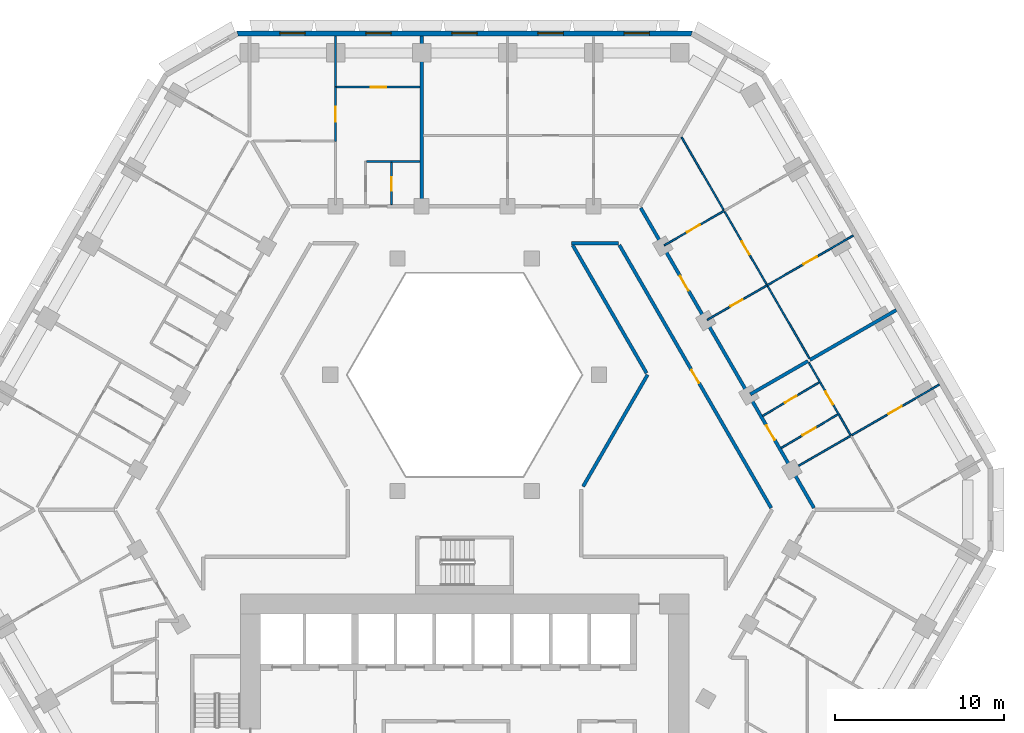
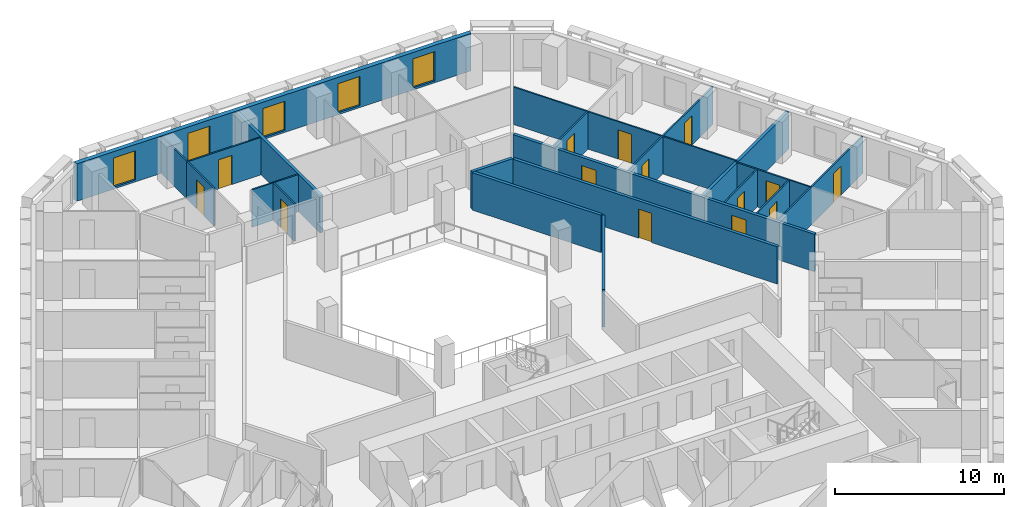
# One storey, part 9 of 16: 22 walls, 14 doors, 5 windows, 19 openings.
"""IFC4 building model written with IfcOpenShell, lengths in metres."""

from ifc_helpers import new_model, si_unit, direction, frame, frame_2d, origin, place, context, subcontext, project, spatial, polyline, rectangle, outline, extrude, material, layer, layer_set, type_object, element, fill, save


model = new_model("IFC4")

# Units and contexts
model_context = context("Model", 3, precision=1e-05, world=origin(), true_north=direction((0.0, 1.0)))
body_context = subcontext(model_context, "Body", "Model", "MODEL_VIEW")
ifc_project = project(units=[si_unit("LENGTHUNIT", "METRE"), si_unit("AREAUNIT", "SQUARE_METRE"), si_unit("VOLUMEUNIT", "CUBIC_METRE"), si_unit("PLANEANGLEUNIT", "RADIAN"), si_unit("MASSUNIT", "GRAM", prefix="KILO")], contexts=[model_context])

# Site, building, storey
site_placement = place(None, origin())
site = spatial("IfcSite", under=ifc_project, at=site_placement, CompositionType="ELEMENT")
building_placement = place(site_placement, origin())
building = spatial("IfcBuilding", under=site, at=building_placement, Name="Beryl Residences", CompositionType="ELEMENT")
storey_placement = place(building_placement, frame((0.0, 0.0, 50.39990234375)))
storey = spatial("IfcBuildingStorey", under=building, at=storey_placement, Name="L15", CompositionType="ELEMENT", Elevation=50.39990234375)

# Wall, openings, windows
ifc_material_1 = material(Name="Composite metal panel with mineral wool insulation")
ifc_layer_1 = layer(ifc_material_1, 0.300048828125)
ifc_layer_set_1 = layer_set([ifc_layer_1], Name="ES1 pale metal composite panel wall 300 mm")
wall_type_1 = type_object("IfcWallType", Name="ES1 pale metal composite panel wall 300 mm", PredefinedType="SOLIDWALL", material=ifc_layer_set_1)
wall_1_placement = place(storey_placement, frame((13.510009765625, 28.25, 0.0), z_axis=(0.0, 0.0, 1.0), x_axis=(-1.0, 0.0, 0.0)))
wall_1 = element("IfcWall", 1, at=wall_1_placement, inside=storey, type_object=wall_type_1, Name="ES1 external wall L15 N", PredefinedType="SOLIDWALL", context=body_context, shape_type="SweptSolid", body=[
    extrude(outline(polyline([(0.0, -0.14990234375), (27.02001953125, -0.14990234375), (26.939697265625, 0.14990234375), (0.080322265625, 0.14990234375), (0.0, -0.14990234375)])), origin(), (0.0, 0.0, 1.0), 2.7001953125),
])
opening_1_placement = place(wall_1_placement, frame((2.552978515625, 0.0, 0.14990234375)))
opening_1 = element("IfcOpeningElement", 2, at=opening_1_placement, cuts=wall_1, Name="Opening W1", PredefinedType="OPENING", context=body_context, shape_type="SweptSolid", body=[
    extrude(rectangle(XDim=1.5, YDim=2.10009765625, at=frame_2d((0.75, 1.050048828125))), frame((0.0, 0.159912109375, 0.0), z_axis=(0.0, -1.0, 0.0), x_axis=(1.0, 0.0, 0.0)), (0.0, 0.0, 1.0), 0.320068359375),
])
opening_2_placement = place(wall_1_placement, frame((7.656982421875, 0.0, 0.14990234375)))
opening_2 = element("IfcOpeningElement", 3, at=opening_2_placement, cuts=wall_1, Name="Opening W1", PredefinedType="OPENING", context=body_context, shape_type="SweptSolid", body=[
    extrude(rectangle(XDim=1.5, YDim=2.10009765625, at=frame_2d((0.75, 1.050048828125))), frame((0.0, 0.159912109375, 0.0), z_axis=(0.0, -1.0, 0.0), x_axis=(1.0, 0.0, 0.0)), (0.0, 0.0, 1.0), 0.320068359375),
])
opening_3_placement = place(wall_1_placement, frame((12.760986328125, 0.0, 0.14990234375)))
opening_3 = element("IfcOpeningElement", 4, at=opening_3_placement, cuts=wall_1, Name="Opening W1", PredefinedType="OPENING", context=body_context, shape_type="SweptSolid", body=[
    extrude(rectangle(XDim=1.5, YDim=2.10009765625, at=frame_2d((0.75, 1.050048828125))), frame((0.0, 0.159912109375, 0.0), z_axis=(0.0, -1.0, 0.0), x_axis=(1.0, 0.0, 0.0)), (0.0, 0.0, 1.0), 0.320068359375),
])
opening_4_placement = place(wall_1_placement, frame((17.864990234375, 0.0, 0.14990234375)))
opening_4 = element("IfcOpeningElement", 5, at=opening_4_placement, cuts=wall_1, Name="Opening W1", PredefinedType="OPENING", context=body_context, shape_type="SweptSolid", body=[
    extrude(rectangle(XDim=1.5, YDim=2.10009765625, at=frame_2d((0.75, 1.050048828125))), frame((0.0, 0.159912109375, 0.0), z_axis=(0.0, -1.0, 0.0), x_axis=(1.0, 0.0, 0.0)), (0.0, 0.0, 1.0), 0.320068359375),
])
opening_5_placement = place(wall_1_placement, frame((22.968994140625, 0.0, 0.14990234375)))
opening_5 = element("IfcOpeningElement", 6, at=opening_5_placement, cuts=wall_1, Name="Opening W1", PredefinedType="OPENING", context=body_context, shape_type="SweptSolid", body=[
    extrude(rectangle(XDim=1.5, YDim=2.10009765625, at=frame_2d((0.75, 1.050048828125))), frame((0.0, 0.159912109375, 0.0), z_axis=(0.0, -1.0, 0.0), x_axis=(1.0, 0.0, 0.0)), (0.0, 0.0, 1.0), 0.320068359375),
])
ifc_material_2 = material(Name="Aluminium and clear glass", Category="aluminium")
window_type = type_object("IfcWindowType", Name="W1 cell window 1500 x 2100 mm", PartitioningType="SINGLE_PANEL", PredefinedType="WINDOW", material=ifc_material_2)
window_1_placement = place(opening_1_placement, origin())
window_1 = element("IfcWindow", 7, at=window_1_placement, inside=storey, type_object=window_type, Name="W1 window L15 N 2", OverallHeight=2.10009765625, OverallWidth=1.5, PartitioningType="SINGLE_PANEL", PredefinedType="WINDOW", context=body_context, shape_type="SweptSolid", body=[
    extrude(rectangle(XDim=1.5, YDim=2.10009765625, at=frame_2d((0.75, 1.050048828125))), frame((0.0, 0.030029296875, 0.0), z_axis=(0.0, -1.0, 0.0), x_axis=(1.0, 0.0, 0.0)), (0.0, 0.0, 1.0), 0.06005859375),
])
fill(opening_1, window_1)
window_2_placement = place(opening_2_placement, origin())
window_2 = element("IfcWindow", 8, at=window_2_placement, inside=storey, type_object=window_type, Name="W1 window L15 N 4", OverallHeight=2.10009765625, OverallWidth=1.5, PartitioningType="SINGLE_PANEL", PredefinedType="WINDOW", context=body_context, shape_type="SweptSolid", body=[
    extrude(rectangle(XDim=1.5, YDim=2.10009765625, at=frame_2d((0.75, 1.050048828125))), frame((0.0, 0.030029296875, 0.0), z_axis=(0.0, -1.0, 0.0), x_axis=(1.0, 0.0, 0.0)), (0.0, 0.0, 1.0), 0.06005859375),
])
fill(opening_2, window_2)
window_3_placement = place(opening_3_placement, origin())
window_3 = element("IfcWindow", 9, at=window_3_placement, inside=storey, type_object=window_type, Name="W1 window L15 N 6", OverallHeight=2.10009765625, OverallWidth=1.5, PartitioningType="SINGLE_PANEL", PredefinedType="WINDOW", context=body_context, shape_type="SweptSolid", body=[
    extrude(rectangle(XDim=1.5, YDim=2.10009765625, at=frame_2d((0.75, 1.050048828125))), frame((0.0, 0.030029296875, 0.0), z_axis=(0.0, -1.0, 0.0), x_axis=(1.0, 0.0, 0.0)), (0.0, 0.0, 1.0), 0.06005859375),
])
fill(opening_3, window_3)
window_4_placement = place(opening_4_placement, origin())
window_4 = element("IfcWindow", 10, at=window_4_placement, inside=storey, type_object=window_type, Name="W1 window L15 N 8", OverallHeight=2.10009765625, OverallWidth=1.5, PartitioningType="SINGLE_PANEL", PredefinedType="WINDOW", context=body_context, shape_type="SweptSolid", body=[
    extrude(rectangle(XDim=1.5, YDim=2.10009765625, at=frame_2d((0.75, 1.050048828125))), frame((0.0, 0.030029296875, 0.0), z_axis=(0.0, -1.0, 0.0), x_axis=(1.0, 0.0, 0.0)), (0.0, 0.0, 1.0), 0.06005859375),
])
fill(opening_4, window_4)
window_5_placement = place(opening_5_placement, origin())
window_5 = element("IfcWindow", 11, at=window_5_placement, inside=storey, type_object=window_type, Name="W1 window L15 N 10", OverallHeight=2.10009765625, OverallWidth=1.5, PartitioningType="SINGLE_PANEL", PredefinedType="WINDOW", context=body_context, shape_type="SweptSolid", body=[
    extrude(rectangle(XDim=1.5, YDim=2.10009765625, at=frame_2d((0.75, 1.050048828125))), frame((0.0, 0.030029296875, 0.0), z_axis=(0.0, -1.0, 0.0), x_axis=(1.0, 0.0, 0.0)), (0.0, 0.0, 1.0), 0.06005859375),
])
fill(opening_5, window_5)

# Wall, opening, door
ifc_material_3 = material(Name="Gypsum board partition on steel studs", Category="steel")
ifc_layer_2 = layer(ifc_material_3, 0.10009765625)
ifc_layer_set_2 = layer_set([ifc_layer_2], Name="PT1 partition 100 mm gypsum board on steel studs")
wall_type_2 = type_object("IfcWallType", Name="PT1 partition 100 mm gypsum board on steel studs", PredefinedType="PARTITIONING", material=ifc_layer_set_2)
wall_2_placement = place(storey_placement, frame((20.4189453125, 8.72802734375, 0.0), z_axis=(0.0, 0.0, 1.0), x_axis=(0.499958946799, -0.866049104564, 0.0)))
wall_2 = element("IfcWall", 12, at=wall_2_placement, inside=storey, type_object=wall_type_2, Name="Wall PT1 L15 002", PredefinedType="PARTITIONING", context=body_context, shape_type="SweptSolid", body=[
    extrude(rectangle(XDim=5.00439453125, YDim=0.10009765625, at=frame_2d((2.502197265625, 0.0))), origin(), (0.0, 0.0, 1.0), 2.7001953125),
])
opening_6_placement = place(wall_2_placement, frame((1.97802734375, 0.0, 0.0)))
opening_6 = element("IfcOpeningElement", 13, at=opening_6_placement, cuts=wall_2, Name="Opening D0548", PredefinedType="OPENING", context=body_context, shape_type="SweptSolid", body=[
    extrude(rectangle(XDim=0.89990234375, YDim=2.10009765625, at=frame_2d((0.449951171875, 1.050048828125))), frame((0.0, 0.06005859375, 0.0), z_axis=(0.0, -1.0, 0.0), x_axis=(1.0, 0.0, 0.0)), (0.0, 0.0, 1.0), 0.1201171875),
])
ifc_material_4 = material(Name="Timber door leaf", Category="wood")
door_type_1 = type_object("IfcDoorType", Name="D2 room door 900 x 2100 mm", OperationType="SINGLE_SWING_LEFT", PredefinedType="DOOR", material=ifc_material_4)
door_1_placement = place(opening_6_placement, origin())
door_1 = element("IfcDoor", 14, at=door_1_placement, inside=storey, type_object=door_type_1, Name="Door D0548 L15 001", OperationType="SINGLE_SWING_RIGHT", OverallHeight=2.10009765625, OverallWidth=0.89990234375, PredefinedType="DOOR", context=body_context, shape_type="SweptSolid", body=[
    extrude(rectangle(XDim=0.89990234375, YDim=2.10009765625, at=frame_2d((0.449951171875, 1.050048828125))), frame((0.0, 0.02490234375, 0.0), z_axis=(0.0, -1.0, 0.0), x_axis=(1.0, 0.0, 0.0)), (0.0, 0.0, 1.0), 0.050048828125),
])
fill(opening_6, door_1)

wall_3_placement = place(storey_placement, frame((12.875, 22.10009765625, 0.0), z_axis=(0.0, 0.0, 1.0), x_axis=(0.499994897061, -0.866028349948, 0.0)))
wall_3 = element("IfcWall", 15, at=wall_3_placement, inside=storey, type_object=wall_type_2, Name="Wall PT1 L15 003", PredefinedType="PARTITIONING", context=body_context, shape_type="SweptSolid", body=[
    extrude(rectangle(XDim=15.152099609375, YDim=0.10009765625, at=frame_2d((7.576171875, 0.0))), origin(), (0.0, 0.0, 1.0), 2.7001953125),
])
opening_7_placement = place(wall_3_placement, frame((7.14599609375, 0.0, 0.0)))
opening_7 = element("IfcOpeningElement", 16, at=opening_7_placement, cuts=wall_3, Name="Opening D0553", PredefinedType="OPENING", context=body_context, shape_type="SweptSolid", body=[
    extrude(rectangle(XDim=0.89990234375, YDim=2.10009765625, at=frame_2d((0.449951171875, 1.050048828125))), frame((0.0, 0.06005859375, 0.0), z_axis=(0.0, -1.0, 0.0), x_axis=(1.0, 0.0, 0.0)), (0.0, 0.0, 1.0), 0.1201171875),
])
door_2_placement = place(opening_7_placement, origin())
door_2 = element("IfcDoor", 17, at=door_2_placement, inside=storey, type_object=door_type_1, Name="Door D0553 L15 001", OperationType="SINGLE_SWING_LEFT", OverallHeight=2.10009765625, OverallWidth=0.89990234375, PredefinedType="DOOR", context=body_context, shape_type="SweptSolid", body=[
    extrude(rectangle(XDim=0.89990234375, YDim=2.10009765625, at=frame_2d((0.449951171875, 1.050048828125))), frame((0.0, 0.02490234375, 0.0), z_axis=(0.0, -1.0, 0.0), x_axis=(1.0, 0.0, 0.0)), (0.0, 0.0, 1.0), 0.050048828125),
])
fill(opening_7, door_2)

# Walls
wall_4_placement = place(storey_placement, frame((-7.656982421875, 28.10009765625, 0.0), z_axis=(0.0, 0.0, 1.0), x_axis=(0.0, -1.0, 0.0)))
element("IfcWall", 18, at=wall_4_placement, inside=storey, type_object=wall_type_2, Name="Wall PT1 L15 005", PredefinedType="PARTITIONING", context=body_context, shape_type="SweptSolid", body=[
    extrude(rectangle(XDim=3.0, YDim=0.10009765625, at=frame_2d((1.5, 0.0))), origin(), (0.0, 0.0, 1.0), 2.7001953125),
])
wall_5_placement = place(storey_placement, frame((-5.820068359375, 20.659912109375, 0.0), z_axis=(0.0, 0.0, 1.0), x_axis=(1.0, 0.0, 0.0)))
element("IfcWall", 19, at=wall_5_placement, inside=storey, type_object=wall_type_2, Name="Wall PT1 L15 032", PredefinedType="PARTITIONING", context=body_context, shape_type="SweptSolid", body=[
    extrude(rectangle(XDim=3.1669921875, YDim=0.10009765625, at=frame_2d((1.58349609375, 0.0))), origin(), (0.0, 0.0, 1.0), 2.7001953125),
])

# Wall, opening, door
wall_6_placement = place(storey_placement, frame((-7.60693359375, 25.070068359375, 0.0), z_axis=(0.0, 0.0, 1.0), x_axis=(1.0, 0.0, 0.0)))
wall_6 = element("IfcWall", 20, at=wall_6_placement, inside=storey, type_object=wall_type_2, Name="Wall PT1 L15 035", PredefinedType="PARTITIONING", context=body_context, shape_type="SweptSolid", body=[
    extrude(rectangle(XDim=4.953857421875, YDim=0.10009765625, at=frame_2d((2.47705078125, 0.0))), origin(), (0.0, 0.0, 1.0), 2.7001953125),
])
opening_8_placement = place(wall_6_placement, frame((2.052001953125, 0.0, 0.0)))
opening_8 = element("IfcOpeningElement", 21, at=opening_8_placement, cuts=wall_6, Name="Opening D0567", PredefinedType="OPENING", context=body_context, shape_type="SweptSolid", body=[
    extrude(rectangle(XDim=0.89990234375, YDim=2.10009765625, at=frame_2d((0.449951171875, 1.050048828125))), frame((0.0, 0.06005859375, 0.0), z_axis=(0.0, -1.0, 0.0), x_axis=(1.0, 0.0, 0.0)), (0.0, 0.0, 1.0), 0.1201171875),
])
door_3_placement = place(opening_8_placement, origin())
door_3 = element("IfcDoor", 22, at=door_3_placement, inside=storey, type_object=door_type_1, Name="Door D0567 L15 001", OperationType="SINGLE_SWING_LEFT", OverallHeight=2.10009765625, OverallWidth=0.89990234375, PredefinedType="DOOR", context=body_context, shape_type="SweptSolid", body=[
    extrude(rectangle(XDim=0.89990234375, YDim=2.10009765625, at=frame_2d((0.449951171875, 1.050048828125))), frame((0.0, 0.02490234375, 0.0), z_axis=(0.0, -1.0, 0.0), x_axis=(1.0, 0.0, 0.0)), (0.0, 0.0, 1.0), 0.050048828125),
])
fill(opening_8, door_3)

wall_7_placement = place(storey_placement, frame((-4.339111328125, 18.10009765625, 0.0), z_axis=(0.0, 0.0, 1.0), x_axis=(0.0, 1.0, 0.0)))
wall_7 = element("IfcWall", 23, at=wall_7_placement, inside=storey, type_object=wall_type_2, Name="Wall PT1 L15 050", PredefinedType="PARTITIONING", context=body_context, shape_type="SweptSolid", body=[
    extrude(rectangle(XDim=2.510009765625, YDim=0.10009765625, at=frame_2d((1.2548828125, 0.0))), origin(), (0.0, 0.0, 1.0), 2.7001953125),
])
opening_9_placement = place(wall_7_placement, frame((0.830078125, 0.0, 0.0)))
opening_9 = element("IfcOpeningElement", 24, at=opening_9_placement, cuts=wall_7, Name="Opening D0566", PredefinedType="OPENING", context=body_context, shape_type="SweptSolid", body=[
    extrude(rectangle(XDim=0.800048828125, YDim=2.10009765625, at=frame_2d((0.39990234375, 1.050048828125))), frame((0.0, 0.06005859375, 0.0), z_axis=(0.0, -1.0, 0.0), x_axis=(1.0, 0.0, 0.0)), (0.0, 0.0, 1.0), 0.1201171875),
])
ifc_material_5 = material(Name="Timber door leaf", Category="wood")
door_type_2 = type_object("IfcDoorType", Name="D3 bathroom door 800 x 2100 mm", OperationType="SINGLE_SWING_LEFT", PredefinedType="DOOR", material=ifc_material_5)
door_4_placement = place(opening_9_placement, origin())
door_4 = element("IfcDoor", 25, at=door_4_placement, inside=storey, type_object=door_type_2, Name="Door D0566 L15 001", OperationType="SINGLE_SWING_RIGHT", OverallHeight=2.10009765625, OverallWidth=0.800048828125, PredefinedType="DOOR", context=body_context, shape_type="SweptSolid", body=[
    extrude(rectangle(XDim=0.800048828125, YDim=2.10009765625, at=frame_2d((0.39990234375, 1.050048828125))), frame((0.0, 0.02490234375, 0.0), z_axis=(0.0, -1.0, 0.0), x_axis=(1.0, 0.0, 0.0)), (0.0, 0.0, 1.0), 0.050048828125),
])
fill(opening_9, door_4)

wall_8_placement = place(storey_placement, frame((-7.656982421875, 21.85400390625, 0.0), z_axis=(0.0, 0.0, 1.0), x_axis=(0.0, 1.0, 0.0)))
wall_8 = element("IfcWall", 26, at=wall_8_placement, inside=storey, type_object=wall_type_2, Name="Wall PT1 L15 053", PredefinedType="PARTITIONING", context=body_context, shape_type="SweptSolid", body=[
    extrude(rectangle(XDim=3.216064453125, YDim=0.10009765625, at=frame_2d((1.60791015625, 0.0))), origin(), (0.0, 0.0, 1.0), 2.7001953125),
])
opening_10_placement = place(wall_8_placement, frame((1.157958984375, 0.0, 0.0)))
opening_10 = element("IfcOpeningElement", 27, at=opening_10_placement, cuts=wall_8, Name="Opening D0568", PredefinedType="OPENING", context=body_context, shape_type="SweptSolid", body=[
    extrude(rectangle(XDim=0.89990234375, YDim=2.10009765625, at=frame_2d((0.449951171875, 1.050048828125))), frame((0.0, 0.06005859375, 0.0), z_axis=(0.0, -1.0, 0.0), x_axis=(1.0, 0.0, 0.0)), (0.0, 0.0, 1.0), 0.1201171875),
])
door_5_placement = place(opening_10_placement, origin())
door_5 = element("IfcDoor", 28, at=door_5_placement, inside=storey, type_object=door_type_1, Name="Door D0568 L15 001", OperationType="SINGLE_SWING_RIGHT", OverallHeight=2.10009765625, OverallWidth=0.89990234375, PredefinedType="DOOR", context=body_context, shape_type="SweptSolid", body=[
    extrude(rectangle(XDim=0.89990234375, YDim=2.10009765625, at=frame_2d((0.449951171875, 1.050048828125))), frame((0.0, 0.02490234375, 0.0), z_axis=(0.0, -1.0, 0.0), x_axis=(1.0, 0.0, 0.0)), (0.0, 0.0, 1.0), 0.050048828125),
])
fill(opening_10, door_5)

wall_9_placement = place(storey_placement, frame((19.5029296875, 2.4208984375, 0.0), z_axis=(0.0, 0.0, 1.0), x_axis=(0.866065245018, 0.499930986609, 0.0)))
wall_9 = element("IfcWall", 29, at=wall_9_placement, inside=storey, type_object=wall_type_2, Name="Wall PT1 L15 060", PredefinedType="PARTITIONING", context=body_context, shape_type="SweptSolid", body=[
    extrude(rectangle(XDim=9.99951171875, YDim=0.10009765625, at=frame_2d((4.999755859375, 0.0))), origin(), (0.0, 0.0, 1.0), 2.7001953125),
])
opening_11_placement = place(wall_9_placement, frame((6.52294921875, 0.0, 0.0)))
opening_11 = element("IfcOpeningElement", 30, at=opening_11_placement, cuts=wall_9, Name="Opening D0549", PredefinedType="OPENING", context=body_context, shape_type="SweptSolid", body=[
    extrude(rectangle(XDim=0.89990234375, YDim=2.10009765625, at=frame_2d((0.449951171875, 1.050048828125))), frame((0.0, 0.06005859375, 0.0), z_axis=(0.0, -1.0, 0.0), x_axis=(1.0, 0.0, 0.0)), (0.0, 0.0, 1.0), 0.1201171875),
])
door_6_placement = place(opening_11_placement, origin())
door_6 = element("IfcDoor", 31, at=door_6_placement, inside=storey, type_object=door_type_1, Name="Door D0549 L15 001", OperationType="SINGLE_SWING_LEFT", OverallHeight=2.10009765625, OverallWidth=0.89990234375, PredefinedType="DOOR", context=body_context, shape_type="SweptSolid", body=[
    extrude(rectangle(XDim=0.89990234375, YDim=2.10009765625, at=frame_2d((0.449951171875, 1.050048828125))), frame((0.0, 0.02490234375, 0.0), z_axis=(0.0, -1.0, 0.0), x_axis=(1.0, 0.0, 0.0)), (0.0, 0.0, 1.0), 0.050048828125),
])
fill(opening_11, door_6)

wall_10_placement = place(storey_placement, frame((11.846923828125, 15.680908203125, 0.0), z_axis=(0.0, 0.0, 1.0), x_axis=(0.865980278416, 0.500078151287, 0.0)))
wall_10 = element("IfcWall", 32, at=wall_10_placement, inside=storey, type_object=wall_type_2, Name="Wall PT1 L15 064", PredefinedType="PARTITIONING", context=body_context, shape_type="SweptSolid", body=[
    extrude(rectangle(XDim=4.099365234375, YDim=0.10009765625, at=frame_2d((2.0498046875, 0.0))), origin(), (0.0, 0.0, 1.0), 2.7001953125),
])
opening_12_placement = place(wall_10_placement, frame((1.550048828125, 0.0, 0.0)))
opening_12 = element("IfcOpeningElement", 33, at=opening_12_placement, cuts=wall_10, Name="Opening D0555", PredefinedType="OPENING", context=body_context, shape_type="SweptSolid", body=[
    extrude(rectangle(XDim=0.89990234375, YDim=2.10009765625, at=frame_2d((0.449951171875, 1.050048828125))), frame((0.0, 0.06005859375, 0.0), z_axis=(0.0, -1.0, 0.0), x_axis=(1.0, 0.0, 0.0)), (0.0, 0.0, 1.0), 0.1201171875),
])
door_7_placement = place(opening_12_placement, origin())
door_7 = element("IfcDoor", 34, at=door_7_placement, inside=storey, type_object=door_type_1, Name="Door D0555 L15 001", OperationType="SINGLE_SWING_LEFT", OverallHeight=2.10009765625, OverallWidth=0.89990234375, PredefinedType="DOOR", context=body_context, shape_type="SweptSolid", body=[
    extrude(rectangle(XDim=0.89990234375, YDim=2.10009765625, at=frame_2d((0.449951171875, 1.050048828125))), frame((0.0, 0.02490234375, 0.0), z_axis=(0.0, -1.0, 0.0), x_axis=(1.0, 0.0, 0.0)), (0.0, 0.0, 1.0), 0.050048828125),
])
fill(opening_12, door_7)

wall_11_placement = place(storey_placement, frame((14.39892578125, 11.260986328125, 0.0), z_axis=(0.0, 0.0, 1.0), x_axis=(0.865980278416, 0.500078151287, 0.0)))
wall_11 = element("IfcWall", 35, at=wall_11_placement, inside=storey, type_object=wall_type_2, Name="Wall PT1 L15 065", PredefinedType="PARTITIONING", context=body_context, shape_type="SweptSolid", body=[
    extrude(rectangle(XDim=4.099365234375, YDim=0.10009765625, at=frame_2d((2.0498046875, 0.0))), origin(), (0.0, 0.0, 1.0), 2.7001953125),
])
opening_13_placement = place(wall_11_placement, frame((1.60009765625, 0.0, 0.0)))
opening_13 = element("IfcOpeningElement", 36, at=opening_13_placement, cuts=wall_11, Name="Opening D0554", PredefinedType="OPENING", context=body_context, shape_type="SweptSolid", body=[
    extrude(rectangle(XDim=0.800048828125, YDim=2.10009765625, at=frame_2d((0.39990234375, 1.050048828125))), frame((0.0, 0.06005859375, 0.0), z_axis=(0.0, -1.0, 0.0), x_axis=(1.0, 0.0, 0.0)), (0.0, 0.0, 1.0), 0.1201171875),
])
door_8_placement = place(opening_13_placement, origin())
door_8 = element("IfcDoor", 37, at=door_8_placement, inside=storey, type_object=door_type_2, Name="Door D0554 L15 001", OperationType="SINGLE_SWING_RIGHT", OverallHeight=2.10009765625, OverallWidth=0.800048828125, PredefinedType="DOOR", context=body_context, shape_type="SweptSolid", body=[
    extrude(rectangle(XDim=0.800048828125, YDim=2.10009765625, at=frame_2d((0.39990234375, 1.050048828125))), frame((0.0, 0.02490234375, 0.0), z_axis=(0.0, -1.0, 0.0), x_axis=(1.0, 0.0, 0.0)), (0.0, 0.0, 1.0), 0.050048828125),
])
fill(opening_13, door_8)

wall_12_placement = place(storey_placement, frame((17.68798828125, 5.56396484375, 0.0), z_axis=(0.0, 0.0, 1.0), x_axis=(0.860107296662, 0.510113162179, 0.0)))
wall_12 = element("IfcWall", 38, at=wall_12_placement, inside=storey, type_object=wall_type_2, Name="Wall PT1 L15 066", PredefinedType="PARTITIONING", context=body_context, shape_type="SweptSolid", body=[
    extrude(rectangle(XDim=3.897216796875, YDim=0.10009765625, at=frame_2d((1.94873046875, 0.0))), origin(), (0.0, 0.0, 1.0), 2.7001953125),
])
opening_14_placement = place(wall_12_placement, frame((1.52392578125, 0.0, 0.0)))
opening_14 = element("IfcOpeningElement", 39, at=opening_14_placement, cuts=wall_12, Name="Opening D0547", PredefinedType="OPENING", context=body_context, shape_type="SweptSolid", body=[
    extrude(rectangle(XDim=0.800048828125, YDim=2.10009765625, at=frame_2d((0.39990234375, 1.050048828125))), frame((0.0, 0.06005859375, 0.0), z_axis=(0.0, -1.0, 0.0), x_axis=(1.0, 0.0, 0.0)), (0.0, 0.0, 1.0), 0.1201171875),
])
door_9_placement = place(opening_14_placement, origin())
door_9 = element("IfcDoor", 40, at=door_9_placement, inside=storey, type_object=door_type_2, Name="Door D0547 L15 001", OperationType="SINGLE_SWING_LEFT", OverallHeight=2.10009765625, OverallWidth=0.800048828125, PredefinedType="DOOR", context=body_context, shape_type="SweptSolid", body=[
    extrude(rectangle(XDim=0.800048828125, YDim=2.10009765625, at=frame_2d((0.39990234375, 1.050048828125))), frame((0.0, 0.02490234375, 0.0), z_axis=(0.0, -1.0, 0.0), x_axis=(1.0, 0.0, 0.0)), (0.0, 0.0, 1.0), 0.050048828125),
])
fill(opening_14, door_9)

wall_13_placement = place(storey_placement, frame((18.7880859375, 3.658935546875, 0.0), z_axis=(0.0, 0.0, 1.0), x_axis=(0.860090994311, 0.510140648749, 0.0)))
wall_13 = element("IfcWall", 41, at=wall_13_placement, inside=storey, type_object=wall_type_2, Name="Wall PT1 L15 067", PredefinedType="PARTITIONING", context=body_context, shape_type="SweptSolid", body=[
    extrude(rectangle(XDim=3.89697265625, YDim=0.10009765625, at=frame_2d((1.948486328125, 0.0))), origin(), (0.0, 0.0, 1.0), 2.7001953125),
])
opening_15_placement = place(wall_13_placement, frame((1.47412109375, 0.0, 0.0)))
opening_15 = element("IfcOpeningElement", 42, at=opening_15_placement, cuts=wall_13, Name="Opening D0546", PredefinedType="OPENING", context=body_context, shape_type="SweptSolid", body=[
    extrude(rectangle(XDim=0.89990234375, YDim=2.10009765625, at=frame_2d((0.449951171875, 1.050048828125))), frame((0.0, 0.06005859375, 0.0), z_axis=(0.0, -1.0, 0.0), x_axis=(1.0, 0.0, 0.0)), (0.0, 0.0, 1.0), 0.1201171875),
])
door_10_placement = place(opening_15_placement, origin())
door_10 = element("IfcDoor", 43, at=door_10_placement, inside=storey, type_object=door_type_1, Name="Door D0546 L15 001", OperationType="SINGLE_SWING_RIGHT", OverallHeight=2.10009765625, OverallWidth=0.89990234375, PredefinedType="DOOR", context=body_context, shape_type="SweptSolid", body=[
    extrude(rectangle(XDim=0.89990234375, YDim=2.10009765625, at=frame_2d((0.449951171875, 1.050048828125))), frame((0.0, 0.02490234375, 0.0), z_axis=(0.0, -1.0, 0.0), x_axis=(1.0, 0.0, 0.0)), (0.0, 0.0, 1.0), 0.050048828125),
])
fill(opening_15, door_10)

wall_14_placement = place(storey_placement, frame((17.948974609375, 13.31103515625, 0.0), z_axis=(0.0, 0.0, 1.0), x_axis=(0.866052608538, 0.499952877023, 0.0)))
wall_14 = element("IfcWall", 44, at=wall_14_placement, inside=storey, type_object=wall_type_2, Name="Wall PT1 L15 070", PredefinedType="PARTITIONING", context=body_context, shape_type="SweptSolid", body=[
    extrude(rectangle(XDim=5.900390625, YDim=0.10009765625, at=frame_2d((2.9501953125, 0.0))), origin(), (0.0, 0.0, 1.0), 2.7001953125),
])
opening_16_placement = place(wall_14_placement, frame((2.5, 0.0, 0.0)))
opening_16 = element("IfcOpeningElement", 45, at=opening_16_placement, cuts=wall_14, Name="Opening D0556", PredefinedType="OPENING", context=body_context, shape_type="SweptSolid", body=[
    extrude(rectangle(XDim=0.89990234375, YDim=2.10009765625, at=frame_2d((0.449951171875, 1.050048828125))), frame((0.0, 0.06005859375, 0.0), z_axis=(0.0, -1.0, 0.0), x_axis=(1.0, 0.0, 0.0)), (0.0, 0.0, 1.0), 0.1201171875),
])
door_11_placement = place(opening_16_placement, origin())
door_11 = element("IfcDoor", 46, at=door_11_placement, inside=storey, type_object=door_type_1, Name="Door D0556 L15 001", OperationType="SINGLE_SWING_RIGHT", OverallHeight=2.10009765625, OverallWidth=0.89990234375, PredefinedType="DOOR", context=body_context, shape_type="SweptSolid", body=[
    extrude(rectangle(XDim=0.89990234375, YDim=2.10009765625, at=frame_2d((0.449951171875, 1.050048828125))), frame((0.0, 0.02490234375, 0.0), z_axis=(0.0, -1.0, 0.0), x_axis=(1.0, 0.0, 0.0)), (0.0, 0.0, 1.0), 0.050048828125),
])
fill(opening_16, door_11)

# Walls
ifc_material_6 = material(Name="Acoustic double stud gypsum board wall")
ifc_layer_3 = layer(ifc_material_6, 0.199951171875)
ifc_layer_set_3 = layer_set([ifc_layer_3], Name="PT3 party wall 200 mm acoustic double stud")
wall_type_3 = type_object("IfcWallType", Name="PT3 party wall 200 mm acoustic double stud", PredefinedType="PARTITIONING", material=ifc_layer_set_3)
wall_15_placement = place(storey_placement, frame((-2.552978515625, 18.10009765625, 0.0), z_axis=(0.0, 0.0, 1.0), x_axis=(0.0, 1.0, 0.0)))
element("IfcWall", 47, at=wall_15_placement, inside=storey, type_object=wall_type_3, Name="Wall PT3 L15 016", PredefinedType="PARTITIONING", context=body_context, shape_type="SweptSolid", body=[
    extrude(rectangle(XDim=10.0, YDim=0.199951171875, at=frame_2d((5.0, 0.0))), origin(), (0.0, 0.0, 1.0), 2.7001953125),
])
wall_16_placement = place(storey_placement, frame((16.949951171875, 6.841064453125, 0.0), z_axis=(0.0, 0.0, 1.0), x_axis=(0.866031112038, 0.499990112884, 0.0)))
element("IfcWall", 48, at=wall_16_placement, inside=storey, type_object=wall_type_3, Name="Wall PT3 L15 019", PredefinedType="PARTITIONING", context=body_context, shape_type="SweptSolid", body=[
    extrude(rectangle(XDim=3.94775390625, YDim=0.199951171875, at=frame_2d((1.973876953125, 0.0))), origin(), (0.0, 0.0, 1.0), 2.7001953125),
])
wall_17_placement = place(storey_placement, frame((20.48388671875, 8.881103515625, 0.0), z_axis=(0.0, 0.0, 1.0), x_axis=(0.866000821391, 0.500042575537, 0.0)))
element("IfcWall", 49, at=wall_17_placement, inside=storey, type_object=wall_type_3, Name="Wall PT3 L15 020", PredefinedType="PARTITIONING", context=body_context, shape_type="SweptSolid", body=[
    extrude(rectangle(XDim=5.91943359375, YDim=0.199951171875, at=frame_2d((2.959716796875, 0.0))), origin(), (0.0, 0.0, 1.0), 2.7001953125),
])
ifc_material_7 = material(Name="Double stud gypsum board wall")
ifc_layer_4 = layer(ifc_material_7, 0.199951171875)
ifc_layer_set_4 = layer_set([ifc_layer_4], Name="PT4 corridor wall 200 mm double stud")
wall_type_4 = type_object("IfcWallType", Name="PT4 corridor wall 200 mm double stud", PredefinedType="PARTITIONING", material=ifc_layer_set_4)
wall_18_placement = place(storey_placement, frame((6.408935546875, 15.699951171875, 0.0), z_axis=(0.0, 0.0, 1.0), x_axis=(0.499930377127, -0.866065596838, 0.0)))
element("IfcWall", 50, at=wall_18_placement, inside=storey, type_object=wall_type_4, Name="Wall PT4 L15 004", PredefinedType="PARTITIONING", context=body_context, shape_type="SweptSolid", body=[
    extrude(rectangle(XDim=8.775146484375, YDim=0.199951171875, at=frame_2d((4.3876953125, 0.0))), origin(), (0.0, 0.0, 1.0), 2.7001953125),
])

# Wall, opening, door
wall_19_placement = place(storey_placement, frame((9.179931640625, 15.699951171875, 0.0), z_axis=(0.0, 0.0, 1.0), x_axis=(0.500003652032, -0.866023295272, 0.0)))
wall_19 = element("IfcWall", 51, at=wall_19_placement, inside=storey, type_object=wall_type_4, Name="Wall PT4 L15 005", PredefinedType="PARTITIONING", context=body_context, shape_type="SweptSolid", body=[
    extrude(rectangle(XDim=18.011962890625, YDim=0.199951171875, at=frame_2d((9.005859375, 0.0))), origin(), (0.0, 0.0, 1.0), 2.7001953125),
])
opening_17_placement = place(wall_19_placement, frame((8.555908203125, 0.0, 0.0)))
opening_17 = element("IfcOpeningElement", 52, at=opening_17_placement, cuts=wall_19, Name="Opening D0578", PredefinedType="OPENING", context=body_context, shape_type="SweptSolid", body=[
    extrude(rectangle(XDim=0.89990234375, YDim=2.10009765625, at=frame_2d((0.449951171875, 1.050048828125))), frame((0.0, 0.10986328125, 0.0), z_axis=(0.0, -1.0, 0.0), x_axis=(1.0, 0.0, 0.0)), (0.0, 0.0, 1.0), 0.219970703125),
])
door_12_placement = place(opening_17_placement, origin())
door_12 = element("IfcDoor", 53, at=door_12_placement, inside=storey, type_object=door_type_1, Name="Door D0578 L15 001", OperationType="SINGLE_SWING_RIGHT", OverallHeight=2.10009765625, OverallWidth=0.89990234375, PredefinedType="DOOR", context=body_context, shape_type="SweptSolid", body=[
    extrude(rectangle(XDim=0.89990234375, YDim=2.10009765625, at=frame_2d((0.449951171875, 1.050048828125))), frame((0.0, 0.02490234375, 0.0), z_axis=(0.0, -1.0, 0.0), x_axis=(1.0, 0.0, 0.0)), (0.0, 0.0, 1.0), 0.050048828125),
])
fill(opening_17, door_12)

# Wall, openings, doors
wall_20_placement = place(storey_placement, frame((10.449951171875, 17.89990234375, 0.0), z_axis=(0.0, 0.0, 1.0), x_axis=(0.500034352617, -0.866005569383, 0.0)))
wall_20 = element("IfcWall", 54, at=wall_20_placement, inside=storey, type_object=wall_type_4, Name="Wall PT4 L15 006", PredefinedType="PARTITIONING", context=body_context, shape_type="SweptSolid", body=[
    extrude(rectangle(XDim=20.552734375, YDim=0.199951171875, at=frame_2d((10.2763671875, 0.0))), origin(), (0.0, 0.0, 1.0), 2.7001953125),
])
opening_18_placement = place(wall_20_placement, frame((14.902099609375, 0.0, 0.0)))
opening_18 = element("IfcOpeningElement", 55, at=opening_18_placement, cuts=wall_20, Name="Opening D0545", PredefinedType="OPENING", context=body_context, shape_type="SweptSolid", body=[
    extrude(rectangle(XDim=1.0, YDim=2.10009765625, at=frame_2d((0.5, 1.050048828125))), frame((0.0, 0.10986328125, 0.0), z_axis=(0.0, -1.0, 0.0), x_axis=(1.0, 0.0, 0.0)), (0.0, 0.0, 1.0), 0.219970703125),
])
opening_19_placement = place(wall_20_placement, frame((4.6708984375, 0.0, 0.0)))
opening_19 = element("IfcOpeningElement", 56, at=opening_19_placement, cuts=wall_20, Name="Opening D0552", PredefinedType="OPENING", context=body_context, shape_type="SweptSolid", body=[
    extrude(rectangle(XDim=1.0, YDim=2.10009765625, at=frame_2d((0.5, 1.050048828125))), frame((0.0, 0.10986328125, 0.0), z_axis=(0.0, -1.0, 0.0), x_axis=(1.0, 0.0, 0.0)), (0.0, 0.0, 1.0), 0.219970703125),
])
ifc_material_8 = material(Name="Timber door leaf", Category="wood")
door_type_3 = type_object("IfcDoorType", Name="D1 flat entrance door 1000 x 2100 mm", OperationType="SINGLE_SWING_LEFT", PredefinedType="DOOR", material=ifc_material_8)
door_13_placement = place(opening_18_placement, origin())
door_13 = element("IfcDoor", 57, at=door_13_placement, inside=storey, type_object=door_type_3, Name="Door D0545 L15 001", OperationType="SINGLE_SWING_LEFT", OverallHeight=2.10009765625, OverallWidth=1.0, PredefinedType="DOOR", context=body_context, shape_type="SweptSolid", body=[
    extrude(rectangle(XDim=1.0, YDim=2.10009765625, at=frame_2d((0.5, 1.050048828125))), frame((0.0, 0.02490234375, 0.0), z_axis=(0.0, -1.0, 0.0), x_axis=(1.0, 0.0, 0.0)), (0.0, 0.0, 1.0), 0.050048828125),
])
fill(opening_18, door_13)
door_14_placement = place(opening_19_placement, origin())
door_14 = element("IfcDoor", 58, at=door_14_placement, inside=storey, type_object=door_type_3, Name="Door D0552 L15 001", OperationType="SINGLE_SWING_RIGHT", OverallHeight=2.10009765625, OverallWidth=1.0, PredefinedType="DOOR", context=body_context, shape_type="SweptSolid", body=[
    extrude(rectangle(XDim=1.0, YDim=2.10009765625, at=frame_2d((0.5, 1.050048828125))), frame((0.0, 0.02490234375, 0.0), z_axis=(0.0, -1.0, 0.0), x_axis=(1.0, 0.0, 0.0)), (0.0, 0.0, 1.0), 0.050048828125),
])
fill(opening_19, door_14)

# Walls
wall_21_placement = place(storey_placement, frame((6.35107421875, 15.800048828125, 0.0), z_axis=(0.0, 0.0, 1.0), x_axis=(1.0, 0.0, 0.0)))
element("IfcWall", 59, at=wall_21_placement, inside=storey, type_object=wall_type_4, Name="Wall PT4 L15 018", PredefinedType="PARTITIONING", context=body_context, shape_type="SweptSolid", body=[
    extrude(rectangle(XDim=2.77099609375, YDim=0.199951171875, at=frame_2d((1.385498046875, 0.0))), origin(), (0.0, 0.0, 1.0), 2.7001953125),
])
wall_22_placement = place(storey_placement, frame((7.028076171875, 1.373046875, 0.0), z_axis=(0.0, 0.0, 1.0), x_axis=(0.49998574534, 0.86603363356, 0.0)))
element("IfcWall", 60, at=wall_22_placement, inside=storey, type_object=wall_type_4, Name="Wall PT4 L15 020", PredefinedType="PARTITIONING", context=body_context, shape_type="SweptSolid", body=[
    extrude(rectangle(XDim=7.652099609375, YDim=0.199951171875, at=frame_2d((3.826171875, 0.0))), origin(), (0.0, 0.0, 1.0), 2.7001953125),
])

save(model, "model.ifc")
